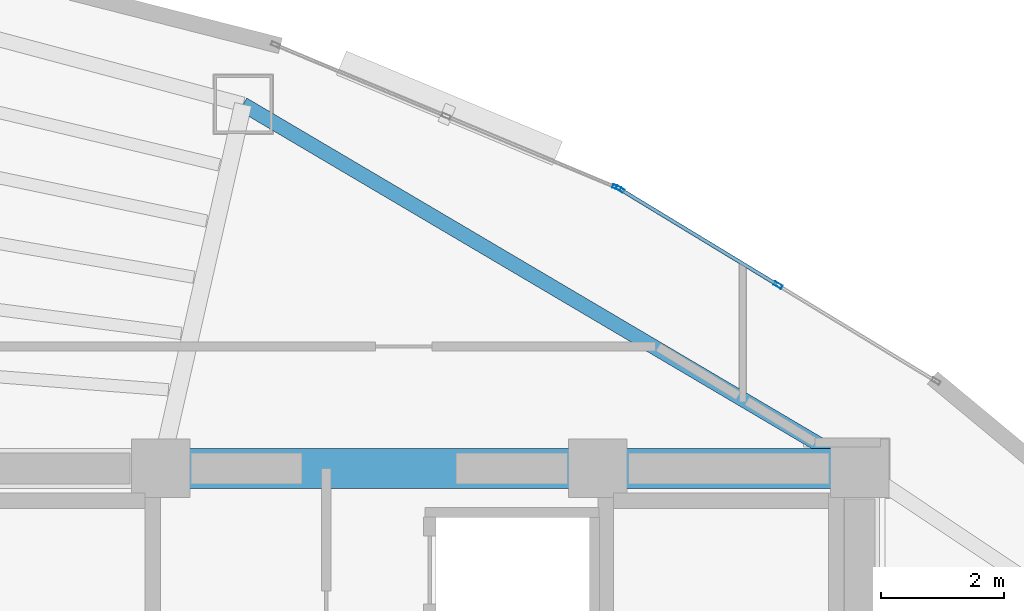
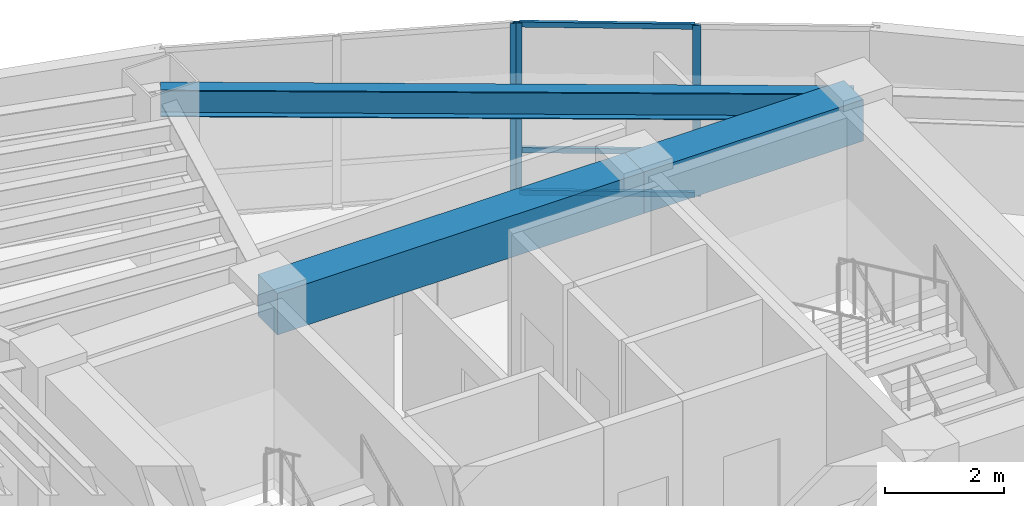
# One storey, part 8 of 15: 6 members, 3 beams, 2 elements without a shape of their own.
"""IFC4 building model written with IfcOpenShell, lengths in metres."""

from ifc_helpers import new_model, si_unit, direction, frame, origin, origin_2d, place, context, subcontext, project, spatial, rectangle, hollow_rectangle, i_section, extrude, material, layer, layer_set, material_profile, profile_set, type_object, element, aggregate, save


model = new_model("IFC4")

# Units and contexts
model_context = context("Model", 3, precision=1e-05, world=origin(), true_north=direction((0.0, 1.0)))
body_context = subcontext(model_context, "Body", "Model", "MODEL_VIEW")
ifc_project = project(units=[si_unit("LENGTHUNIT", "METRE"), si_unit("AREAUNIT", "SQUARE_METRE"), si_unit("VOLUMEUNIT", "CUBIC_METRE"), si_unit("PLANEANGLEUNIT", "RADIAN"), si_unit("MASSUNIT", "GRAM", prefix="KILO")], contexts=[model_context])

# Site, building, storey
site_placement = place(None, origin())
site = spatial("IfcSite", under=ifc_project, at=site_placement, CompositionType="ELEMENT")
building_placement = place(site_placement, origin())
building = spatial("IfcBuilding", under=site, at=building_placement, Name="Menara Vayukalpa", CompositionType="ELEMENT")
storey_placement = place(building_placement, frame((0.0, 0.0, 176.639892578125)))
storey = spatial("IfcBuildingStorey", under=building, at=storey_placement, Name="L44", CompositionType="ELEMENT", Elevation=176.639892578125)

# Beams
ifc_material_1 = material(Name="Concrete C60/75", Category="concrete")
ifc_material_profile_1 = material_profile(ifc_material_1, rectangle(XDim=0.64990234375, YDim=0.85009765625, at=origin_2d()), Name="RC 650x850")
ifc_profile_set_1 = profile_set([ifc_material_profile_1], Name="Concrete C60/75")
beam_type_1 = type_object("IfcBeamType", Name="BM-CB1", PredefinedType="BEAM", material=ifc_profile_set_1)
beam_1_placement = place(storey_placement, frame((22.050048828125, 26.800048828125, 3.0751953125), z_axis=(1.0, 0.0, 0.0), x_axis=(0.0, 1.0, 0.0)))
element("IfcBeam", 1, at=beam_1_placement, inside=storey, type_object=beam_type_1, Name="L44 Core Tie Beam CBR5", PredefinedType="BEAM", context=body_context, shape_type="SweptSolid", body=[
    extrude(rectangle(XDim=0.64990234375, YDim=0.85009765625, at=origin_2d()), origin(), (0.0, 0.0, 1.0), 7.099853515625),
])
beam_2_placement = place(storey_placement, frame((29.14990234375, 26.800048828125, 3.0751953125), z_axis=(1.0, 0.0, 0.0), x_axis=(0.0, 1.0, 0.0)))
element("IfcBeam", 2, at=beam_2_placement, inside=storey, type_object=beam_type_1, Name="L44 Core Tie Beam CBR6", PredefinedType="BEAM", context=body_context, shape_type="SweptSolid", body=[
    extrude(rectangle(XDim=0.64990234375, YDim=0.85009765625, at=origin_2d()), origin(), (0.0, 0.0, 1.0), 4.25),
])
ifc_material_2 = material(Name="Steel S355", Category="steel")
ifc_material_profile_2 = material_profile(ifc_material_2, i_section(OverallWidth=0.239990234375, OverallDepth=0.550048828125, WebThickness=0.010986328125, FlangeThickness=0.01904296875, at=origin_2d()), Name="WF 550x240x11x19")
ifc_profile_set_2 = profile_set([ifc_material_profile_2], Name="Steel S355")
beam_type_2 = type_object("IfcBeamType", Name="BM-SP2", PredefinedType="SPANDREL", material=ifc_profile_set_2)
beam_3_placement = place(storey_placement, frame((33.39990234375, 26.800048828125, 3.22509765625), z_axis=(-0.861184403346, 0.508292655302, 0.0), x_axis=(-0.508292655302, -0.861184403346, 0.0)))
element("IfcBeam", 3, at=beam_3_placement, inside=storey, type_object=beam_type_2, Name="L44 Perimeter Spandrel Beam SP02", PredefinedType="SPANDREL", context=body_context, shape_type="SweptSolid", body=[
    extrude(i_section(OverallWidth=0.239990234375, OverallDepth=0.550048828125, WebThickness=0.010986328125, FlangeThickness=0.01904296875, at=origin_2d()), origin(), (0.0, 0.0, 1.0), 11.6240234375),
])

# Curtain wall, members
ifc_material_3 = material(Name="Anodised Terracotta Aluminium Alloy 6063-T6", Category="masonry")
ifc_layer = layer(ifc_material_3, 0.139892578125)
ifc_layer_set = layer_set([ifc_layer], Name="Anodised Terracotta Aluminium Alloy 6063-T6")
curtain_wall_type = type_object("IfcCurtainWallType", Name="CW-CW5", PredefinedType="USERDEFINED", material=ifc_layer_set)
curtain_wall_1_placement = place(storey_placement, origin())
curtain_wall_1 = element("IfcCurtainWall", 4, at=curtain_wall_1_placement, inside=storey, type_object=curtain_wall_type, Name="L44 High Rise Tapered Curtain Wall CW5 04", ObjectType="UNITISED", PredefinedType="USERDEFINED")
ifc_material_4 = material(Name="Anodised Terracotta Aluminium Alloy 6063-T6", Category="masonry")
ifc_material_profile_3 = material_profile(ifc_material_4, hollow_rectangle(XDim=0.06005859375, YDim=0.139892578125, WallThickness=0.00341796875, at=origin_2d()), Name="ALU 60x140x3.5")
ifc_profile_set_3 = profile_set([ifc_material_profile_3], Name="Anodised Terracotta Aluminium Alloy 6063-T6")
member_type_1 = type_object("IfcMemberType", Name="CWM-CW5", PredefinedType="MULLION", material=ifc_profile_set_3)
member_1_placement = place(storey_placement, frame((32.075439453125, 29.773681640625, 0.0), z_axis=(0.0, 0.0, 1.0), x_axis=(-0.519179911779, -0.854664974832, 0.0)))
member_1 = element("IfcMember", 5, at=member_1_placement, type_object=member_type_1, Name="CW5 mullion 2", PredefinedType="MULLION", context=body_context, shape_type="SweptSolid", body=[
    extrude(hollow_rectangle(XDim=0.06005859375, YDim=0.139892578125, WallThickness=0.00341796875, at=origin_2d()), origin(), (0.0, 0.0, 1.0), 3.5),
])
member_2_placement = place(storey_placement, frame((29.509521484375, 31.33251953125, 0.0), z_axis=(0.0, 0.0, 1.0), x_axis=(-0.519179911779, -0.854664974832, 0.0)))
member_2 = element("IfcMember", 6, at=member_2_placement, type_object=member_type_1, Name="CW5 mullion 3", PredefinedType="MULLION", context=body_context, shape_type="SweptSolid", body=[
    extrude(hollow_rectangle(XDim=0.06005859375, YDim=0.139892578125, WallThickness=0.00341796875, at=origin_2d()), origin(), (0.0, 0.0, 1.0), 3.5),
])

# Curtain wall, member
curtain_wall_2_placement = place(storey_placement, origin())
curtain_wall_2 = element("IfcCurtainWall", 7, at=curtain_wall_2_placement, inside=storey, type_object=curtain_wall_type, Name="L44 High Rise Tapered Curtain Wall CW5 05", ObjectType="UNITISED", PredefinedType="USERDEFINED")
member_3_placement = place(storey_placement, frame((29.4560546875, 31.359619140625, 0.0), z_axis=(0.0, 0.0, 1.0), x_axis=(-0.385902834406, -0.922539431351, 0.0)))
member_3 = element("IfcMember", 8, at=member_3_placement, type_object=member_type_1, Name="CW5 mullion 1", PredefinedType="MULLION", context=body_context, shape_type="SweptSolid", body=[
    extrude(hollow_rectangle(XDim=0.06005859375, YDim=0.139892578125, WallThickness=0.00341796875, at=origin_2d()), origin(), (0.0, 0.0, 1.0), 3.5),
])
aggregate(curtain_wall_2, [member_3])

# Member
ifc_material_5 = material(Name="Anodised Terracotta Aluminium Alloy 6063-T6", Category="masonry")
ifc_material_profile_4 = material_profile(ifc_material_5, hollow_rectangle(XDim=0.06005859375, YDim=0.10498046875, WallThickness=0.0029296875, at=origin_2d()), Name="ALU 60x105x3")
ifc_profile_set_4 = profile_set([ifc_material_profile_4], Name="Anodised Terracotta Aluminium Alloy 6063-T6")
member_type_2 = type_object("IfcMemberType", Name="CWT-CW5", PredefinedType="USERDEFINED", material=ifc_profile_set_4)
member_4_placement = place(storey_placement, frame((32.0498046875, 29.789306640625, 0.030029296875), z_axis=(-0.85466128475, 0.51918598628, 0.0), x_axis=(-0.51918598628, -0.85466128475, 0.0)))
member_4 = element("IfcMember", 9, at=member_4_placement, type_object=member_type_2, Name="CW5 transom 2.1", ObjectType="TRANSOM", PredefinedType="USERDEFINED", context=body_context, shape_type="SweptSolid", body=[
    extrude(hollow_rectangle(XDim=0.06005859375, YDim=0.10498046875, WallThickness=0.0029296875, at=origin_2d()), origin(), (0.0, 0.0, 1.0), 2.9423828125),
])

member_5_placement = place(storey_placement, frame((32.0498046875, 29.789306640625, 0.900146484375), z_axis=(-0.85466128475, 0.51918598628, 0.0), x_axis=(-0.51918598628, -0.85466128475, 0.0)))
member_5 = element("IfcMember", 10, at=member_5_placement, type_object=member_type_2, Name="CW5 transom 2.2", ObjectType="TRANSOM", PredefinedType="USERDEFINED", context=body_context, shape_type="SweptSolid", body=[
    extrude(hollow_rectangle(XDim=0.06005859375, YDim=0.10498046875, WallThickness=0.0029296875, at=origin_2d()), origin(), (0.0, 0.0, 1.0), 2.9423828125),
])

member_6_placement = place(storey_placement, frame((32.0498046875, 29.789306640625, 3.47021484375), z_axis=(-0.85466128475, 0.51918598628, 0.0), x_axis=(-0.51918598628, -0.85466128475, 0.0)))
member_6 = element("IfcMember", 11, at=member_6_placement, type_object=member_type_2, Name="CW5 transom 2.3", ObjectType="TRANSOM", PredefinedType="USERDEFINED", context=body_context, shape_type="SweptSolid", body=[
    extrude(hollow_rectangle(XDim=0.06005859375, YDim=0.10498046875, WallThickness=0.0029296875, at=origin_2d()), origin(), (0.0, 0.0, 1.0), 2.9423828125),
])

aggregate(curtain_wall_1, [member_1, member_2, member_4, member_5, member_6])

save(model, "model.ifc")
